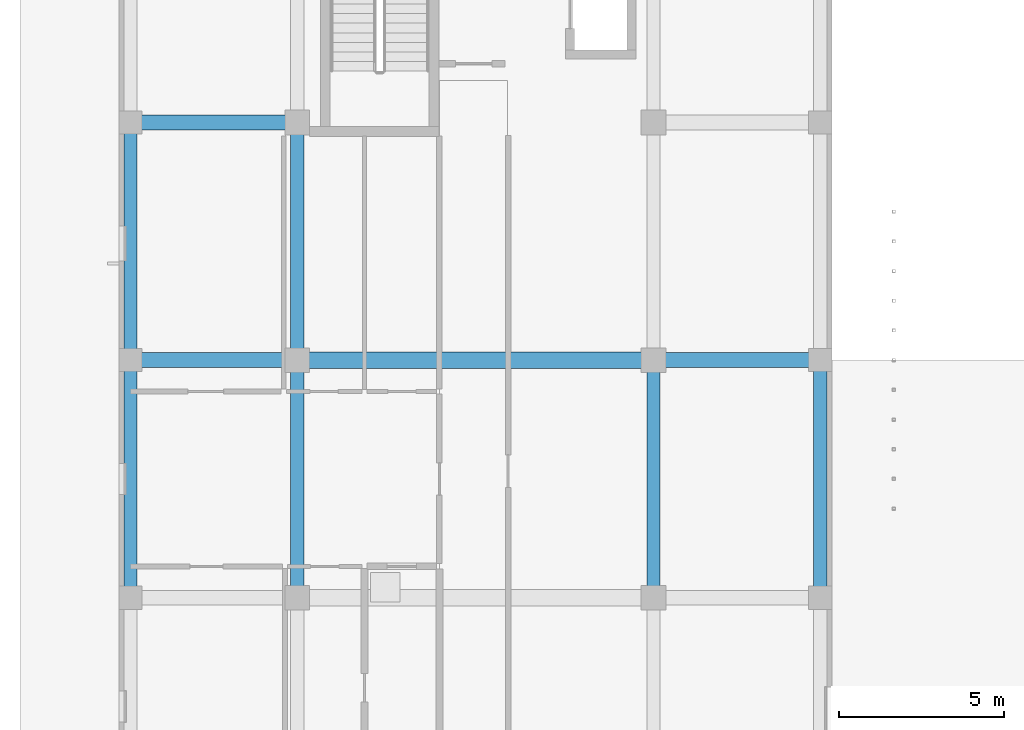
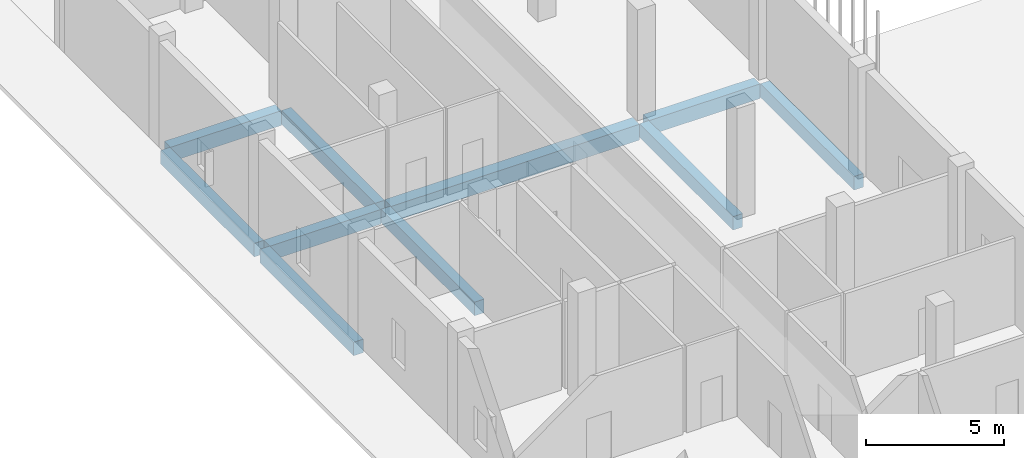
# One storey, part 9 of 85: 10 beams.
"""IFC4 building model written with IfcOpenShell, lengths in metres."""

from ifc_helpers import new_model, si_unit, derived_unit, direction, frame, origin, origin_2d, place, context, subcontext, project, spatial, rectangle, extrude, material, material_profile, profile_set, type_object, element, save


model = new_model("IFC4")

# Units and contexts
model_context = context("Model", 3, precision=1e-05, world=origin(), true_north=direction((0.0, 1.0)))
body_context = subcontext(model_context, "Body", "Model", "MODEL_VIEW")
ifc_project = project(units=[si_unit("LENGTHUNIT", "METRE"), si_unit("AREAUNIT", "SQUARE_METRE"), si_unit("VOLUMEUNIT", "CUBIC_METRE"), si_unit("PLANEANGLEUNIT", "RADIAN"), si_unit("MASSUNIT", "GRAM", prefix="KILO"), derived_unit("THERMALTRANSMITTANCEUNIT", [(si_unit("MASSUNIT", "GRAM", prefix="KILO"), 1), (si_unit("TIMEUNIT", "SECOND"), -3), (si_unit("THERMODYNAMICTEMPERATUREUNIT", "KELVIN"), -1)])], contexts=[model_context])

# Site, building, storey
site_placement = place(None, origin())
site = spatial("IfcSite", under=ifc_project, at=site_placement, CompositionType="ELEMENT")
building_placement = place(site_placement, origin())
building = spatial("IfcBuilding", under=site, at=building_placement, Name="Ochrekiln Boulevard Commons", CompositionType="ELEMENT")
storey_placement = place(building_placement, origin())
storey = spatial("IfcBuildingStorey", under=building, at=storey_placement, Name="L00", CompositionType="ELEMENT", Elevation=0.0)

# Beams
ifc_material_1 = material(Name="Concrete C35/45", Category="concrete")
ifc_material_profile_1 = material_profile(ifc_material_1, rectangle(XDim=0.39990234375, YDim=0.60009765625, at=origin_2d()), Name="RC-BM-400x600")
ifc_profile_set_1 = profile_set([ifc_material_profile_1], Name="Concrete C35/45")
beam_type_1 = type_object("IfcBeamType", Name="BM-RC-400x600", PredefinedType="BEAM", material=ifc_profile_set_1)
for number, where, z_axis, x_axis, name in (
    (1, (0.35009765625, 29.010009765625, -0.580078125), (0.0, 1.0, 0.0), (-1.0, 0.0, 0.0), "Block D L00 Beam B-4060 Y27"),
    (2, (0.35009765625, 36.2099609375, -0.580078125), (0.0, 1.0, 0.0), (-1.0, 0.0, 0.0), "Block D L00 Beam B-4060 Y28"),
    (3, (5.39990234375, 29.010009765625, -0.580078125), (0.0, 1.0, 0.0), (-1.0, 0.0, 0.0), "Block D L00 Beam B-4060 Y34"),
    (4, (5.39990234375, 36.2099609375, -0.580078125), (0.0, 1.0, 0.0), (-1.0, 0.0, 0.0), "Block D L00 Beam B-4060 Y35"),
    (5, (16.199951171875, 29.010009765625, -0.580078125), (0.0, 1.0, 0.0), (-1.0, 0.0, 0.0), "Block D L00 Beam B-4060 Y41"),
    (6, (21.25, 29.010009765625, -0.580078125), (0.0, 1.0, 0.0), (-1.0, 0.0, 0.0), "Block D L00 Beam B-4060 Y48"),
):
    element("IfcBeam", number, at=place(storey_placement, frame(where, z_axis=z_axis, x_axis=x_axis)), inside=storey, type_object=beam_type_1, Name=name, PredefinedType="BEAM", context=body_context, shape_type="SweptSolid", body=[
        extrude(rectangle(XDim=0.39990234375, YDim=0.60009765625, at=origin_2d()), origin(), (0.0, 0.0, 1.0), 6.780029296875),
    ])
ifc_material_profile_2 = material_profile(ifc_material_1, rectangle(XDim=0.449951171875, YDim=0.64990234375, at=origin_2d()), Name="RC-BM-450x650")
ifc_profile_set_2 = profile_set([ifc_material_profile_2], Name="Concrete C35/45")
beam_type_2 = type_object("IfcBeamType", Name="BM-RC-450x650", PredefinedType="BEAM", material=ifc_profile_set_2)
beam_1_placement = place(storey_placement, frame((0.56005859375, 36.0, -0.60498046875), z_axis=(1.0, 0.0, 0.0), x_axis=(0.0, 1.0, 0.0)))
element("IfcBeam", 7, at=beam_1_placement, inside=storey, type_object=beam_type_2, Name="Block D L00 Beam B-4565 X15", PredefinedType="BEAM", context=body_context, shape_type="SweptSolid", body=[
    extrude(rectangle(XDim=0.449951171875, YDim=0.64990234375, at=origin_2d()), origin(), (0.0, 0.0, 1.0), 4.6298828125),
])
beam_2_placement = place(storey_placement, frame((16.409912109375, 36.0, -0.60498046875), z_axis=(1.0, 0.0, 0.0), x_axis=(0.0, 1.0, 0.0)))
element("IfcBeam", 8, at=beam_2_placement, inside=storey, type_object=beam_type_2, Name="Block D L00 Beam B-4565 X17", PredefinedType="BEAM", context=body_context, shape_type="SweptSolid", body=[
    extrude(rectangle(XDim=0.449951171875, YDim=0.64990234375, at=origin_2d()), origin(), (0.0, 0.0, 1.0), 4.630126953125),
])
beam_3_placement = place(storey_placement, frame((0.56005859375, 43.199951171875, -0.60498046875), z_axis=(1.0, 0.0, 0.0), x_axis=(0.0, 1.0, 0.0)))
element("IfcBeam", 9, at=beam_3_placement, inside=storey, type_object=beam_type_2, Name="Block D L00 Beam B-4565 X18", PredefinedType="BEAM", context=body_context, shape_type="SweptSolid", body=[
    extrude(rectangle(XDim=0.449951171875, YDim=0.64990234375, at=origin_2d()), origin(), (0.0, 0.0, 1.0), 4.6298828125),
])
ifc_material_2 = material(Name="Concrete C40/50", Category="concrete")
ifc_material_profile_3 = material_profile(ifc_material_2, rectangle(XDim=0.5, YDim=0.699951171875, at=origin_2d()), Name="RC-BM-500x700")
ifc_profile_set_3 = profile_set([ifc_material_profile_3], Name="Concrete C40/50")
beam_type_3 = type_object("IfcBeamType", Name="BM-RC-500x700", PredefinedType="BEAM", material=ifc_profile_set_3)
beam_4_placement = place(storey_placement, frame((5.610107421875, 36.0, -0.6298828125), z_axis=(1.0, 0.0, 0.0), x_axis=(0.0, 1.0, 0.0)))
element("IfcBeam", 10, at=beam_4_placement, inside=storey, type_object=beam_type_3, Name="Block D L00 Beam B-5070 X16", PredefinedType="BEAM", context=body_context, shape_type="SweptSolid", body=[
    extrude(rectangle(XDim=0.5, YDim=0.699951171875, at=origin_2d()), origin(), (0.0, 0.0, 1.0), 10.3798828125),
])

save(model, "model.ifc")
